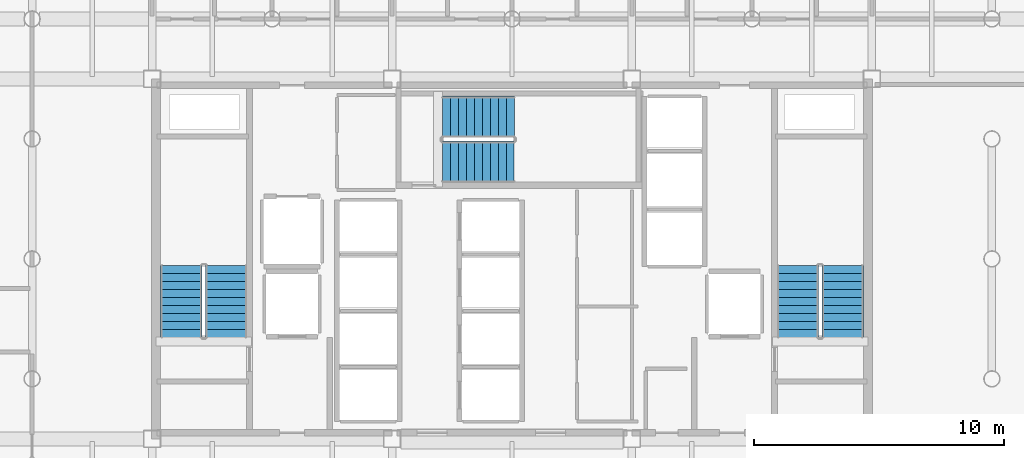
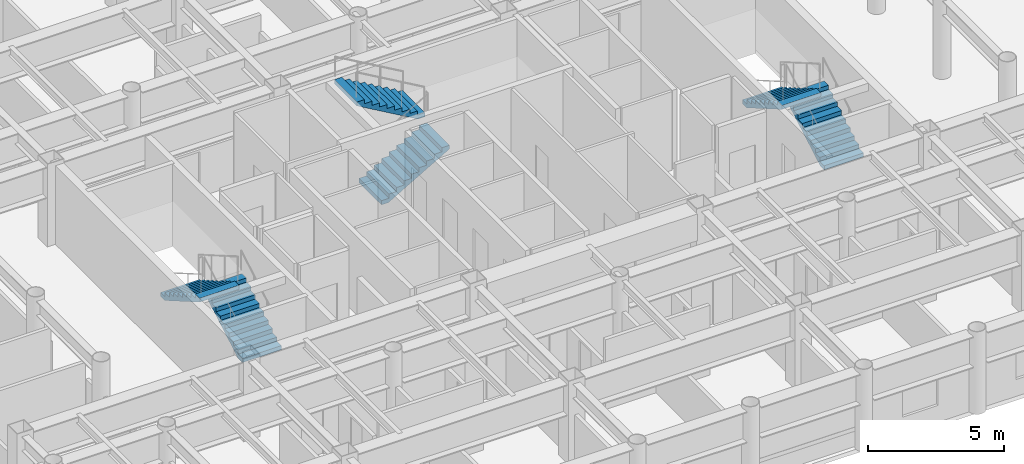
# One storey, part 21 of 23: 6 stair flights, 3 elements without a shape of their own.
"""IFC4 building model written with IfcOpenShell, lengths in metres."""

from ifc_helpers import new_model, si_unit, direction, frame, origin, place, context, subcontext, project, spatial, polyline, outline, extrude, material, type_object, element, aggregate, save


model = new_model("IFC4")

# Units and contexts
model_context = context("Model", 3, precision=1e-05, world=origin(), true_north=direction((0.0, 1.0)))
body_context = subcontext(model_context, "Body", "Model", "MODEL_VIEW")
ifc_project = project(units=[si_unit("LENGTHUNIT", "METRE"), si_unit("AREAUNIT", "SQUARE_METRE"), si_unit("VOLUMEUNIT", "CUBIC_METRE"), si_unit("PLANEANGLEUNIT", "RADIAN"), si_unit("MASSUNIT", "GRAM", prefix="KILO")], contexts=[model_context])

# Site, building, storey
site_placement = place(None, origin())
site = spatial("IfcSite", under=ifc_project, at=site_placement, CompositionType="ELEMENT")
building_placement = place(site_placement, origin())
building = spatial("IfcBuilding", under=site, at=building_placement, Name="Kallvorn Hotel Tower", CompositionType="ELEMENT")
storey_placement = place(building_placement, frame((0.0, 0.0, 124.800048828125)))
storey = spatial("IfcBuildingStorey", under=building, at=storey_placement, Name="L30", CompositionType="ELEMENT", Elevation=124.800048828125)

# Stair, stair flights
ifc_material_1 = material(Name="Precast concrete C40/50", Category="concrete")
stair_type = type_object("IfcStairType", Name="STR_CORE_DOGLEG", PredefinedType="HALF_TURN_STAIR", material=ifc_material_1)
stair_1_placement = place(storey_placement, origin())
stair_1 = element("IfcStair", 1, at=stair_1_placement, inside=storey, type_object=stair_type, Name="L30 Exit stair ST1", PredefinedType="HALF_TURN_STAIR")
ifc_material_2 = material(Name="Precast concrete C40/50", Category="concrete")
stair_flight_type = type_object("IfcStairFlightType", Name="FLT_CORE_1660", PredefinedType="STRAIGHT", material=ifc_material_2)
stair_flight_1_placement = place(storey_placement, frame((-11.429931640625, -3.139892578125, 0.0), z_axis=(0.0, 0.0, 1.0), x_axis=(0.0, 1.0, 0.0)))
stair_flight_1 = element("IfcStairFlight", 2, at=stair_flight_1_placement, type_object=stair_flight_type, Name="ST1 flight 1", NumberOfRisers=10, NumberOfTreads=9, PredefinedType="STRAIGHT", RiserHeight=0.185, TreadLength=0.32, context=body_context, shape_type="SweptSolid", body=[
    extrude(outline(polyline([(0.0, 0.0), (0.0, 0.18505859375), (0.320068359375, 0.18505859375), (0.320068359375, 0.3701171875), (0.639892578125, 0.3701171875), (0.639892578125, 0.554931640625), (0.9599609375, 0.554931640625), (0.9599609375, 0.739990234375), (1.280029296875, 0.739990234375), (1.280029296875, 0.925048828125), (1.60009765625, 0.925048828125), (1.60009765625, 1.110107421875), (1.919921875, 1.110107421875), (1.919921875, 1.294921875), (2.239990234375, 1.294921875), (2.239990234375, 1.47998046875), (2.56005859375, 1.47998046875), (2.56005859375, 1.6650390625), (2.8798828125, 1.6650390625), (2.8798828125, 1.85009765625), (2.8798828125, 1.491943359375), (0.299560546875, 0.0), (0.0, 0.0)])), frame((0.0, 0.830078125, 0.0), z_axis=(0.0, -1.0, 0.0), x_axis=(1.0, 0.0, 0.0)), (0.0, 0.0, 1.0), 1.659912109375),
])
stair_flight_2_placement = place(storey_placement, frame((-13.22998046875, -0.260009765625, 1.849853515625), z_axis=(0.0, 0.0, 1.0), x_axis=(0.0, -1.0, 0.0)))
stair_flight_2 = element("IfcStairFlight", 3, at=stair_flight_2_placement, type_object=stair_flight_type, Name="ST1 flight 2", NumberOfRisers=10, NumberOfTreads=9, PredefinedType="STRAIGHT", RiserHeight=0.185, TreadLength=0.32, context=body_context, shape_type="SweptSolid", body=[
    extrude(outline(polyline([(0.0, 0.0), (0.0, 0.18505859375), (0.320068359375, 0.18505859375), (0.320068359375, 0.3701171875), (0.639892578125, 0.3701171875), (0.639892578125, 0.554931640625), (0.9599609375, 0.554931640625), (0.9599609375, 0.739990234375), (1.280029296875, 0.739990234375), (1.280029296875, 0.925048828125), (1.60009765625, 0.925048828125), (1.60009765625, 1.110107421875), (1.919921875, 1.110107421875), (1.919921875, 1.294921875), (2.239990234375, 1.294921875), (2.239990234375, 1.47998046875), (2.56005859375, 1.47998046875), (2.56005859375, 1.6650390625), (2.8798828125, 1.6650390625), (2.8798828125, 1.85009765625), (2.8798828125, 1.491943359375), (0.299560546875, 0.0), (0.0, 0.0)])), frame((0.0, 0.830078125, 0.0), z_axis=(0.0, -1.0, 0.0), x_axis=(1.0, 0.0, 0.0)), (0.0, 0.0, 1.0), 1.659912109375),
])
aggregate(stair_1, [stair_flight_1, stair_flight_2])

stair_2_placement = place(storey_placement, origin())
stair_2 = element("IfcStair", 4, at=stair_2_placement, inside=storey, type_object=stair_type, Name="L30 Exit stair ST2", PredefinedType="HALF_TURN_STAIR")
stair_flight_3_placement = place(storey_placement, frame((13.22998046875, -3.139892578125, 0.0), z_axis=(0.0, 0.0, 1.0), x_axis=(0.0, 1.0, 0.0)))
stair_flight_3 = element("IfcStairFlight", 5, at=stair_flight_3_placement, type_object=stair_flight_type, Name="ST2 flight 1", NumberOfRisers=10, NumberOfTreads=9, PredefinedType="STRAIGHT", RiserHeight=0.185, TreadLength=0.32, context=body_context, shape_type="SweptSolid", body=[
    extrude(outline(polyline([(0.0, 0.0), (0.0, 0.18505859375), (0.320068359375, 0.18505859375), (0.320068359375, 0.3701171875), (0.639892578125, 0.3701171875), (0.639892578125, 0.554931640625), (0.9599609375, 0.554931640625), (0.9599609375, 0.739990234375), (1.280029296875, 0.739990234375), (1.280029296875, 0.925048828125), (1.60009765625, 0.925048828125), (1.60009765625, 1.110107421875), (1.919921875, 1.110107421875), (1.919921875, 1.294921875), (2.239990234375, 1.294921875), (2.239990234375, 1.47998046875), (2.56005859375, 1.47998046875), (2.56005859375, 1.6650390625), (2.8798828125, 1.6650390625), (2.8798828125, 1.85009765625), (2.8798828125, 1.491943359375), (0.299560546875, 0.0), (0.0, 0.0)])), frame((0.0, 0.830078125, 0.0), z_axis=(0.0, -1.0, 0.0), x_axis=(1.0, 0.0, 0.0)), (0.0, 0.0, 1.0), 1.659912109375),
])
stair_flight_4_placement = place(storey_placement, frame((11.429931640625, -0.260009765625, 1.849853515625), z_axis=(0.0, 0.0, 1.0), x_axis=(0.0, -1.0, 0.0)))
stair_flight_4 = element("IfcStairFlight", 6, at=stair_flight_4_placement, type_object=stair_flight_type, Name="ST2 flight 2", NumberOfRisers=10, NumberOfTreads=9, PredefinedType="STRAIGHT", RiserHeight=0.185, TreadLength=0.32, context=body_context, shape_type="SweptSolid", body=[
    extrude(outline(polyline([(0.0, 0.0), (0.0, 0.18505859375), (0.320068359375, 0.18505859375), (0.320068359375, 0.3701171875), (0.639892578125, 0.3701171875), (0.639892578125, 0.554931640625), (0.9599609375, 0.554931640625), (0.9599609375, 0.739990234375), (1.280029296875, 0.739990234375), (1.280029296875, 0.925048828125), (1.60009765625, 0.925048828125), (1.60009765625, 1.110107421875), (1.919921875, 1.110107421875), (1.919921875, 1.294921875), (2.239990234375, 1.294921875), (2.239990234375, 1.47998046875), (2.56005859375, 1.47998046875), (2.56005859375, 1.6650390625), (2.8798828125, 1.6650390625), (2.8798828125, 1.85009765625), (2.8798828125, 1.491943359375), (0.299560546875, 0.0), (0.0, 0.0)])), frame((0.0, 0.830078125, 0.0), z_axis=(0.0, -1.0, 0.0), x_axis=(1.0, 0.0, 0.0)), (0.0, 0.0, 1.0), 1.659912109375),
])
aggregate(stair_2, [stair_flight_3, stair_flight_4])

stair_3_placement = place(storey_placement, origin())
stair_3 = element("IfcStair", 7, at=stair_3_placement, inside=storey, type_object=stair_type, Name="L30 Exit stair ST3", PredefinedType="HALF_TURN_STAIR")
stair_flight_5_placement = place(storey_placement, frame((-2.7900390625, 3.8798828125, 0.0), z_axis=(0.0, 0.0, 1.0), x_axis=(1.0, 0.0, 0.0)))
stair_flight_5 = element("IfcStairFlight", 8, at=stair_flight_5_placement, type_object=stair_flight_type, Name="ST3 flight 1", NumberOfRisers=10, NumberOfTreads=9, PredefinedType="STRAIGHT", RiserHeight=0.185, TreadLength=0.32, context=body_context, shape_type="SweptSolid", body=[
    extrude(outline(polyline([(0.0, 0.0), (0.0, 0.18505859375), (0.320068359375, 0.18505859375), (0.320068359375, 0.3701171875), (0.639892578125, 0.3701171875), (0.639892578125, 0.554931640625), (0.9599609375, 0.554931640625), (0.9599609375, 0.739990234375), (1.280029296875, 0.739990234375), (1.280029296875, 0.925048828125), (1.60009765625, 0.925048828125), (1.60009765625, 1.110107421875), (1.919921875, 1.110107421875), (1.919921875, 1.294921875), (2.239990234375, 1.294921875), (2.239990234375, 1.47998046875), (2.56005859375, 1.47998046875), (2.56005859375, 1.6650390625), (2.8798828125, 1.6650390625), (2.8798828125, 1.85009765625), (2.8798828125, 1.491943359375), (0.299560546875, 0.0), (0.0, 0.0)])), frame((0.0, 0.830078125, 0.0), z_axis=(0.0, -1.0, 0.0), x_axis=(1.0, 0.0, 0.0)), (0.0, 0.0, 1.0), 1.659912109375),
])
stair_flight_6_placement = place(storey_placement, frame((0.090087890625, 5.679931640625, 1.849853515625), z_axis=(0.0, 0.0, 1.0), x_axis=(-1.0, 0.0, 0.0)))
stair_flight_6 = element("IfcStairFlight", 9, at=stair_flight_6_placement, type_object=stair_flight_type, Name="ST3 flight 2", NumberOfRisers=10, NumberOfTreads=9, PredefinedType="STRAIGHT", RiserHeight=0.185, TreadLength=0.32, context=body_context, shape_type="SweptSolid", body=[
    extrude(outline(polyline([(0.0, 0.0), (0.0, 0.18505859375), (0.320068359375, 0.18505859375), (0.320068359375, 0.3701171875), (0.639892578125, 0.3701171875), (0.639892578125, 0.554931640625), (0.9599609375, 0.554931640625), (0.9599609375, 0.739990234375), (1.280029296875, 0.739990234375), (1.280029296875, 0.925048828125), (1.60009765625, 0.925048828125), (1.60009765625, 1.110107421875), (1.919921875, 1.110107421875), (1.919921875, 1.294921875), (2.239990234375, 1.294921875), (2.239990234375, 1.47998046875), (2.56005859375, 1.47998046875), (2.56005859375, 1.6650390625), (2.8798828125, 1.6650390625), (2.8798828125, 1.85009765625), (2.8798828125, 1.491943359375), (0.299560546875, 0.0), (0.0, 0.0)])), frame((0.0, 0.830078125, 0.0), z_axis=(0.0, -1.0, 0.0), x_axis=(1.0, 0.0, 0.0)), (0.0, 0.0, 1.0), 1.659912109375),
])
aggregate(stair_3, [stair_flight_5, stair_flight_6])

save(model, "model.ifc")
